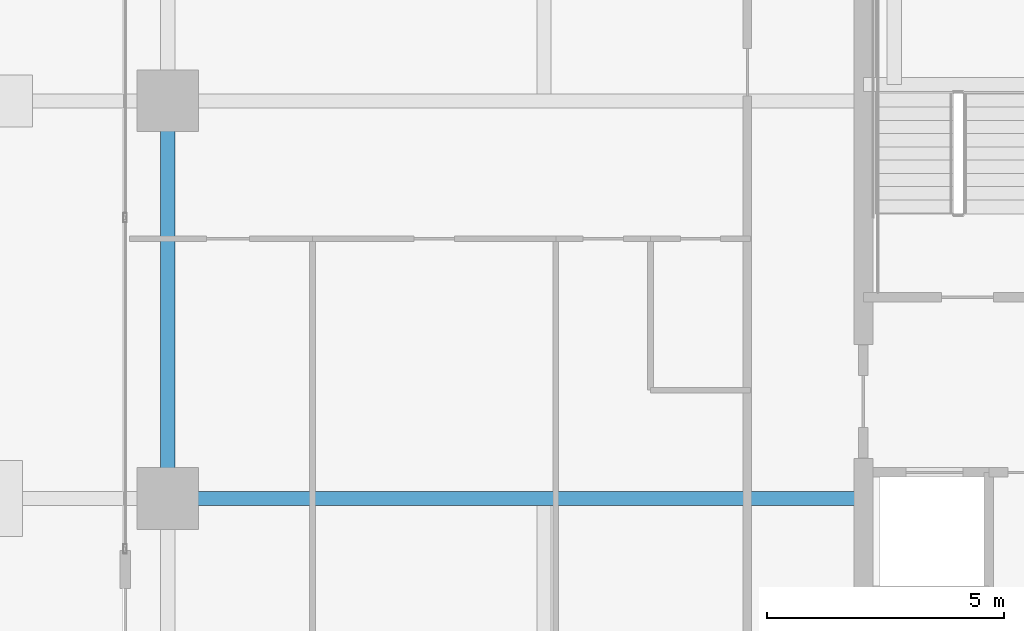
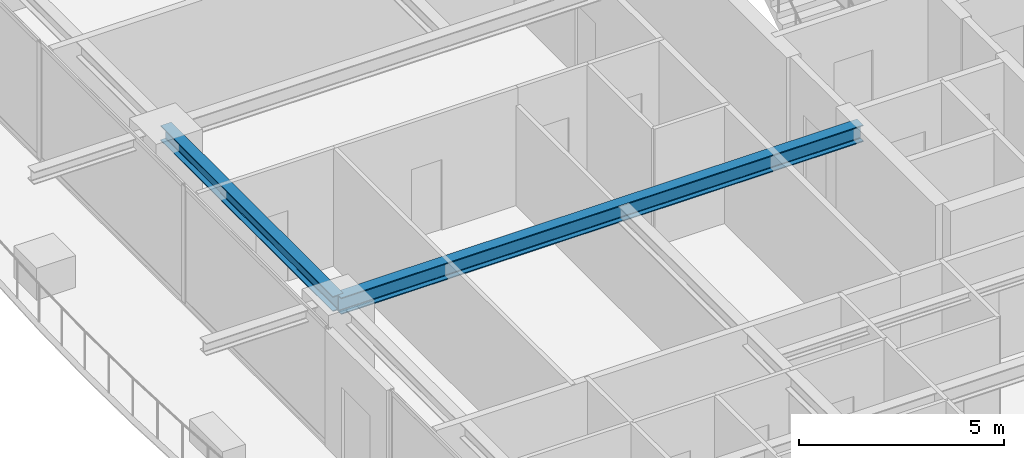
# One storey, part 9 of 38: 2 beams.
"""IFC4 building model written with IfcOpenShell, lengths in metres."""

from ifc_helpers import new_model, si_unit, direction, frame, origin, origin_2d, place, context, subcontext, project, spatial, i_section, extrude, source, transform, mapped, material, material_profile, profile_set, type_object, element, save


model = new_model("IFC4")

# Units and contexts
model_context = context("Model", 3, precision=1e-05, world=origin(), true_north=direction((0.0, 1.0)))
body_context = subcontext(model_context, "Body", "Model", "MODEL_VIEW")
ifc_project = project(units=[si_unit("LENGTHUNIT", "METRE"), si_unit("AREAUNIT", "SQUARE_METRE"), si_unit("VOLUMEUNIT", "CUBIC_METRE"), si_unit("PLANEANGLEUNIT", "RADIAN"), si_unit("MASSUNIT", "GRAM", prefix="KILO")], contexts=[model_context])

# Site, building, storey
site_placement = place(None, origin())
site = spatial("IfcSite", under=ifc_project, at=site_placement, CompositionType="ELEMENT")
building_placement = place(site_placement, origin())
building = spatial("IfcBuilding", under=site, at=building_placement, Name="Serunith Strait Residences", CompositionType="ELEMENT")
storey_placement = place(building_placement, frame((0.0, 0.0, 183.89990234375)))
storey = spatial("IfcBuildingStorey", under=building, at=storey_placement, Name="L46", CompositionType="ELEMENT", Elevation=183.89990234375)

# Beams
ifc_material = material(Name="Steel S355J2", Category="steel")
ifc_material_profile_1 = material_profile(ifc_material, i_section(OverallWidth=0.300048828125, OverallDepth=0.449951171875, WebThickness=0.013916015625, FlangeThickness=0.02587890625, FilletRadius=0.027099609375, at=origin_2d()), Name="HEB 450")
ifc_profile_set_1 = profile_set([ifc_material_profile_1], Name="Steel S355J2")
beam_type_1 = type_object("IfcBeamType", Name="BM-HEB450", PredefinedType="BEAM", material=ifc_profile_set_1)
shared_shape_1 = source(origin(), body_context, "Body", "SweptSolid", [
    extrude(i_section(OverallWidth=0.300048828125, OverallDepth=0.449951171875, WebThickness=0.013916015625, FlangeThickness=0.02587890625, FilletRadius=0.027099609375, at=origin_2d()), origin(), (0.0, 0.0, 1.0), 8.39990234375),
])
beam_1_placement = place(storey_placement, frame((8.699951171875, 29.39990234375, 3.26220703125), z_axis=(0.0, -1.0, 0.0), x_axis=(1.0, 0.0, 0.0)))
element("IfcBeam", 1, at=beam_1_placement, inside=storey, type_object=beam_type_1, Name="L46 Perimeter Ring Beam 14", PredefinedType="BEAM", context=body_context, shape_type="MappedRepresentation", body=[
    mapped(shared_shape_1, transform((0.0, 0.0, 0.0), scale=1.0)),
])
ifc_material_profile_2 = material_profile(ifc_material, i_section(OverallWidth=0.300048828125, OverallDepth=0.5, WebThickness=0.014404296875, FlangeThickness=0.028076171875, FilletRadius=0.027099609375, at=origin_2d()), Name="HEB 500")
ifc_profile_set_2 = profile_set([ifc_material_profile_2], Name="Steel S355J2")
beam_type_2 = type_object("IfcBeamType", Name="BM-HEB500", PredefinedType="BEAM", material=ifc_profile_set_2)
shared_shape_2 = source(origin(), body_context, "Body", "SweptSolid", [
    extrude(i_section(OverallWidth=0.300048828125, OverallDepth=0.5, WebThickness=0.014404296875, FlangeThickness=0.028076171875, FilletRadius=0.027099609375, at=origin_2d()), origin(), (0.0, 0.0, 1.0), 14.699951171875),
])
beam_2_placement = place(storey_placement, frame((23.39990234375, 21.0, 3.237060546875), z_axis=(-1.0, 0.0, 0.0), x_axis=(0.0, -1.0, 0.0)))
element("IfcBeam", 2, at=beam_2_placement, inside=storey, type_object=beam_type_2, Name="L46 Primary Floor Girder TC-W2", PredefinedType="BEAM", context=body_context, shape_type="MappedRepresentation", body=[
    mapped(shared_shape_2, transform((0.0, 0.0, 0.0), scale=1.0)),
])

save(model, "model.ifc")
